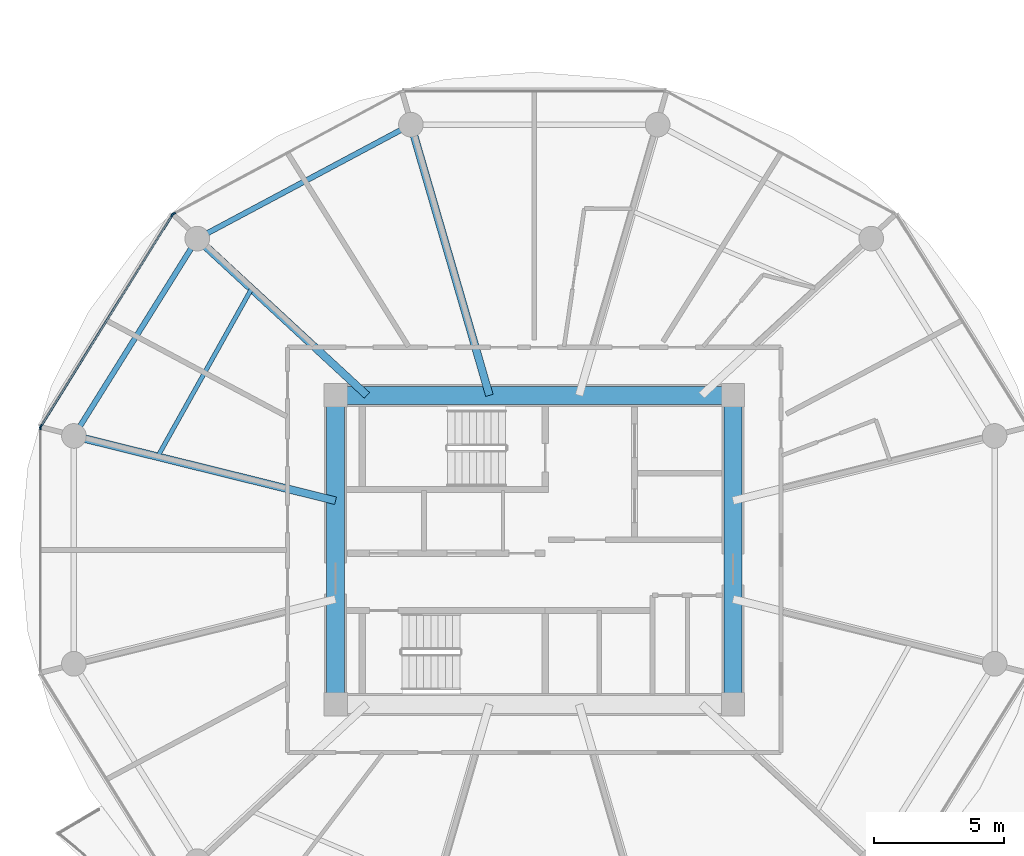
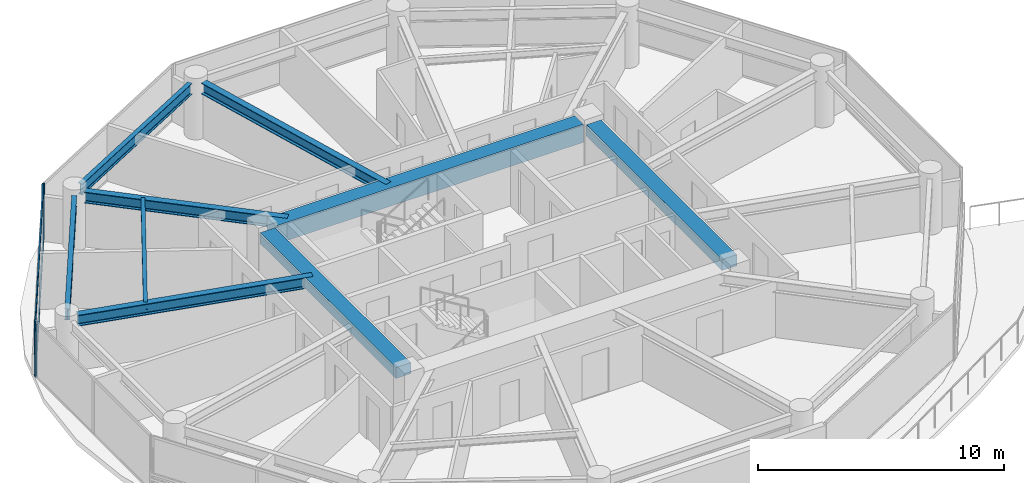
# One storey, part 4 of 26: 9 beams, 6 members, 3 elements without a shape of their own.
"""IFC4 building model written with IfcOpenShell, lengths in metres."""

from ifc_helpers import new_model, si_unit, direction, frame, origin, origin_2d, place, context, subcontext, project, spatial, rectangle, i_section, extrude, source, transform, mapped, material, layer, layer_set, material_profile, profile_set, type_object, type_shapes, element, aggregate, save


model = new_model("IFC4")

# Units and contexts
model_context = context("Model", 3, precision=1e-05, world=origin(), true_north=direction((0.0, 1.0)))
body_context = subcontext(model_context, "Body", "Model", "MODEL_VIEW")
ifc_project = project(units=[si_unit("LENGTHUNIT", "METRE"), si_unit("AREAUNIT", "SQUARE_METRE"), si_unit("VOLUMEUNIT", "CUBIC_METRE"), si_unit("PLANEANGLEUNIT", "RADIAN"), si_unit("MASSUNIT", "GRAM", prefix="KILO")], contexts=[model_context])

# Site, building, storey
site_placement = place(None, origin())
site = spatial("IfcSite", under=ifc_project, at=site_placement, CompositionType="ELEMENT")
building_placement = place(site_placement, origin())
building = spatial("IfcBuilding", under=site, at=building_placement, Name="Norrkilde Senior Care Towers", CompositionType="ELEMENT")
storey_placement = place(building_placement, frame((0.0, 0.0, 49.050048828125)))
storey = spatial("IfcBuildingStorey", under=building, at=storey_placement, Name="L14", CompositionType="ELEMENT", Elevation=49.050048828125)

# Beams
ifc_material_1 = material(Name="Concrete C60/75", Category="concrete")
ifc_material_profile_1 = material_profile(ifc_material_1, rectangle(XDim=0.699951171875, YDim=0.89990234375, at=origin_2d()), Name="RC BM 700x900")
ifc_profile_set_1 = profile_set([ifc_material_profile_1], Name="Concrete C60/75")
beam_type_1 = type_object("IfcBeamType", Name="Core Coupling Girder 700x900", PredefinedType="USERDEFINED", material=ifc_profile_set_1)
shared_shape_1 = source(origin(), body_context, "Body", "SweptSolid", [
    extrude(rectangle(XDim=0.699951171875, YDim=0.89990234375, at=origin_2d()), origin(), (0.0, 0.0, 1.0), 14.43994140625),
])
type_shapes(beam_type_1, [shared_shape_1])
beam_1_placement = place(storey_placement, frame((-35.219970703125, 5.949951171875, 2.33984375), z_axis=(1.0, 0.0, 0.0), x_axis=(0.0, 1.0, 0.0)))
element("IfcBeam", 1, at=beam_1_placement, inside=storey, type_object=beam_type_1, Name="L14 Core W N Coupling Girder", ObjectType="GIRDER", PredefinedType="USERDEFINED", context=body_context, shape_type="MappedRepresentation", body=[
    mapped(shared_shape_1, transform((0.0, 0.0, 0.0), x_axis=(1.0, 0.0, 0.0), y_axis=(0.0, 1.0, 0.0), z_axis=(0.0, 0.0, 1.0), scale=1.0)),
])
ifc_material_profile_2 = material_profile(ifc_material_1, rectangle(XDim=0.699951171875, YDim=0.550048828125, at=origin_2d()), Name="RC BM 700x550")
ifc_profile_set_2 = profile_set([ifc_material_profile_2], Name="Concrete C60/75")
beam_type_2 = type_object("IfcBeamType", Name="Core Portal Coupling Beam 700x550", PredefinedType="USERDEFINED", material=ifc_profile_set_2)
shared_shape_2 = source(origin(), body_context, "Body", "SweptSolid", [
    extrude(rectangle(XDim=0.699951171875, YDim=0.550048828125, at=origin_2d()), origin(), (0.0, 0.0, 1.0), 11.0400390625),
])
type_shapes(beam_type_2, [shared_shape_2])
for number, where, z_axis, x_axis, name in (
    (2, (-35.64990234375, -5.52001953125, 2.514892578125), (0.0, 1.0, 0.0), (-1.0, 0.0, 0.0), "L14 Core W W Coupling Girder"),
    (3, (-20.35009765625, -5.52001953125, 2.514892578125), (0.0, 1.0, 0.0), (-1.0, 0.0, 0.0), "L14 Core W E Coupling Girder"),
):
    element("IfcBeam", number, at=place(storey_placement, frame(where, z_axis=z_axis, x_axis=x_axis)), inside=storey, type_object=beam_type_2, Name=name, ObjectType="GIRDER", PredefinedType="USERDEFINED", context=body_context, shape_type="MappedRepresentation", body=[
        mapped(shared_shape_2, transform((0.0, 0.0, 0.0), x_axis=(1.0, 0.0, 0.0), y_axis=(0.0, 1.0, 0.0), z_axis=(0.0, 0.0, 1.0), scale=1.0)),
    ])
ifc_material_2 = material(Name="Steel S355", Category="steel")
ifc_material_profile_3 = material_profile(ifc_material_2, i_section(OverallWidth=0.2099609375, OverallDepth=0.550048828125, WebThickness=0.010986328125, FlangeThickness=0.01708984375, FilletRadius=0.02392578125, at=origin_2d()), Name="IPE 550")
ifc_profile_set_3 = profile_set([ifc_material_profile_3], Name="Steel S355")
beam_type_3 = type_object("IfcBeamType", Name="Perimeter Ring Spandrel Z1 IPE550", PredefinedType="SPANDREL", material=ifc_profile_set_3)
shared_shape_3 = source(origin(), body_context, "Body", "SweptSolid", [
    extrude(i_section(OverallWidth=0.2099609375, OverallDepth=0.550048828125, WebThickness=0.010986328125, FlangeThickness=0.01708984375, FilletRadius=0.02392578125, at=origin_2d()), origin(), (0.0, 0.0, 1.0), 8.090576171875),
])
beam_2_placement = place(storey_placement, frame((-41.2060546875, 11.61669921875, 2.514892578125), z_axis=(-0.530004364821, -0.84799491347, 0.0), x_axis=(0.84799491347, -0.530004364821, 0.0)))
element("IfcBeam", 4, at=beam_2_placement, inside=storey, type_object=beam_type_3, Name="L14 Drum W Perimeter Spandrel 05", PredefinedType="SPANDREL", context=body_context, shape_type="MappedRepresentation", body=[
    mapped(shared_shape_3, transform((0.0, 0.0, 0.0), x_axis=(1.0, 0.0, 0.0), y_axis=(0.0, 1.0, 0.0), z_axis=(0.0, 0.0, 1.0), scale=1.0)),
])
ifc_material_profile_4 = material_profile(ifc_material_2, i_section(OverallWidth=0.300048828125, OverallDepth=0.550048828125, WebThickness=0.014892578125, FlangeThickness=0.029052734375, FilletRadius=0.027099609375, at=origin_2d()), Name="HEB 550")
ifc_profile_set_4 = profile_set([ifc_material_profile_4], Name="Steel S355")
beam_type_4 = type_object("IfcBeamType", Name="Radial Floor Beam Z1 HEB550", PredefinedType="BEAM", material=ifc_profile_set_4)
shared_shape_4 = source(origin(), body_context, "Body", "SweptSolid", [
    extrude(i_section(OverallWidth=0.300048828125, OverallDepth=0.550048828125, WebThickness=0.014892578125, FlangeThickness=0.029052734375, FilletRadius=0.027099609375, at=origin_2d()), origin(), (0.0, 0.0, 1.0), 9.94384765625),
])
beam_3_placement = place(storey_placement, frame((-35.64990234375, 1.893310546875, 2.514892578125), z_axis=(-0.970707425182, 0.240264634718, 0.0), x_axis=(-0.240264634718, -0.970707425182, 0.0)))
element("IfcBeam", 5, at=beam_3_placement, inside=storey, type_object=beam_type_4, Name="L14 Drum W Radial Floor Beam 06", PredefinedType="BEAM", context=body_context, shape_type="MappedRepresentation", body=[
    mapped(shared_shape_4, transform((0.0, 0.0, 0.0), x_axis=(1.0, 0.0, 0.0), y_axis=(0.0, 1.0, 0.0), z_axis=(0.0, 0.0, 1.0), scale=1.0)),
])
shared_shape_5 = source(origin(), body_context, "Body", "SweptSolid", [
    extrude(i_section(OverallWidth=0.2099609375, OverallDepth=0.550048828125, WebThickness=0.010986328125, FlangeThickness=0.01708984375, FilletRadius=0.02392578125, at=origin_2d()), origin(), (0.0, 0.0, 1.0), 8.452880859375),
])
type_shapes(beam_type_3, [shared_shape_3, shared_shape_5])
beam_4_placement = place(storey_placement, frame((-33.133056640625, 16.167724609375, 2.514892578125), z_axis=(-0.882368931134, -0.470558252898, 0.0), x_axis=(0.470558252898, -0.882368931134, 0.0)))
element("IfcBeam", 6, at=beam_4_placement, inside=storey, type_object=beam_type_3, Name="L14 Drum W Perimeter Spandrel 04", PredefinedType="SPANDREL", context=body_context, shape_type="MappedRepresentation", body=[
    mapped(shared_shape_5, transform((0.0, 0.0, 0.0), x_axis=(1.0, 0.0, 0.0), y_axis=(0.0, 1.0, 0.0), z_axis=(0.0, 0.0, 1.0), scale=1.0)),
])
shared_shape_6 = source(origin(), body_context, "Body", "SweptSolid", [
    extrude(i_section(OverallWidth=0.300048828125, OverallDepth=0.550048828125, WebThickness=0.014892578125, FlangeThickness=0.029052734375, FilletRadius=0.027099609375, at=origin_2d()), origin(), (0.0, 0.0, 1.0), 8.459716796875),
])
beam_5_placement = place(storey_placement, frame((-34.44140625, 5.949951171875, 2.514892578125), z_axis=(-0.734573269108, 0.678529374686, 0.0), x_axis=(-0.678529374686, -0.734573269108, 0.0)))
element("IfcBeam", 7, at=beam_5_placement, inside=storey, type_object=beam_type_4, Name="L14 Drum W Radial Floor Beam 05", PredefinedType="BEAM", context=body_context, shape_type="MappedRepresentation", body=[
    mapped(shared_shape_6, transform((0.0, 0.0, 0.0), x_axis=(1.0, 0.0, 0.0), y_axis=(0.0, 1.0, 0.0), z_axis=(0.0, 0.0, 1.0), scale=1.0)),
])
shared_shape_7 = source(origin(), body_context, "Body", "SweptSolid", [
    extrude(i_section(OverallWidth=0.300048828125, OverallDepth=0.550048828125, WebThickness=0.014892578125, FlangeThickness=0.029052734375, FilletRadius=0.027099609375, at=origin_2d()), origin(), (0.0, 0.0, 1.0), 10.4169921875),
])
type_shapes(beam_type_4, [shared_shape_4, shared_shape_6, shared_shape_7])
beam_6_placement = place(storey_placement, frame((-29.72607421875, 5.949951171875, 2.514892578125), z_axis=(-0.278591250785, 0.960409764104, 0.0), x_axis=(-0.960409764104, -0.278591250785, 0.0)))
element("IfcBeam", 8, at=beam_6_placement, inside=storey, type_object=beam_type_4, Name="L14 Drum W Radial Floor Beam 04", PredefinedType="BEAM", context=body_context, shape_type="MappedRepresentation", body=[
    mapped(shared_shape_7, transform((0.0, 0.0, 0.0), x_axis=(1.0, 0.0, 0.0), y_axis=(0.0, 1.0, 0.0), z_axis=(0.0, 0.0, 1.0), scale=1.0)),
])
ifc_material_profile_5 = material_profile(ifc_material_2, i_section(OverallWidth=0.169921875, OverallDepth=0.360107421875, WebThickness=0.008056640625, FlangeThickness=0.0126953125, FilletRadius=0.01806640625, at=origin_2d()), Name="IPE 360")
ifc_profile_set_5 = profile_set([ifc_material_profile_5], Name="Steel S355")
beam_type_5 = type_object("IfcBeamType", Name="Secondary Floor Joist IPE360", PredefinedType="JOIST", material=ifc_profile_set_5)
shared_shape_8 = source(origin(), body_context, "Body", "SweptSolid", [
    extrude(i_section(OverallWidth=0.169921875, OverallDepth=0.360107421875, WebThickness=0.008056640625, FlangeThickness=0.0126953125, FilletRadius=0.01806640625, at=origin_2d()), origin(), (0.0, 0.0, 1.0), 7.40771484375),
])
type_shapes(beam_type_5, [shared_shape_8])
beam_7_placement = place(storey_placement, frame((-38.884521484375, 10.05419921875, 2.60986328125), z_axis=(-0.488167754092, -0.872749817453, 0.0), x_axis=(0.872749817453, -0.488167754092, 0.0)))
element("IfcBeam", 9, at=beam_7_placement, inside=storey, type_object=beam_type_5, Name="L14 Drum W Secondary Floor Joist 2", PredefinedType="JOIST", context=body_context, shape_type="MappedRepresentation", body=[
    mapped(shared_shape_8, transform((0.0, 0.0, 0.0), x_axis=(1.0, 0.0, 0.0), y_axis=(0.0, 1.0, 0.0), z_axis=(0.0, 0.0, 1.0), scale=1.0)),
])

# Curtain wall, member
ifc_material_3 = material(Name="Triple Low-E Insulated Glazing", Category="glass")
ifc_layer = layer(ifc_material_3, 0.199951171875)
ifc_layer_set = layer_set([ifc_layer], Name="Triple Low-E Insulated Glazing")
curtain_wall_type = type_object("IfcCurtainWallType", Name="CW2 Zone 1 Memory Care Curtain Wall", PredefinedType="NOTDEFINED", material=ifc_layer_set)
curtain_wall_1_placement = place(storey_placement, origin())
curtain_wall_1 = element("IfcCurtainWall", 10, at=curtain_wall_1_placement, inside=storey, type_object=curtain_wall_type, Name="L14 Drum W Curtain Wall 03", PredefinedType="NOTDEFINED")
ifc_material_4 = material(Name="Anodised Aluminium", Category="aluminium")
ifc_material_profile_6 = material_profile(ifc_material_4, rectangle(XDim=0.06494140625, YDim=0.159912109375, at=origin_2d()), Name="ALU MULL 65x160")
ifc_profile_set_6 = profile_set([ifc_material_profile_6], Name="Anodised Aluminium")
member_type_1 = type_object("IfcMemberType", Name="Curtain Wall Mullion Z1-Z2 65x160", PredefinedType="MULLION", material=ifc_profile_set_6)
shared_shape_9 = source(origin(), body_context, "Body", "SweptSolid", [
    extrude(rectangle(XDim=0.06494140625, YDim=0.159912109375, at=origin_2d()), origin(), (0.0, 0.0, 1.0), 2.7900390625),
])
type_shapes(member_type_1, [shared_shape_9])
member_1_placement = place(storey_placement, frame((-41.88720703125, 12.941162109375, 0.0), z_axis=(0.0, 0.0, 1.0), x_axis=(-0.472607802456, 0.881272866403, 0.0)))
member_1 = element("IfcMember", 11, at=member_1_placement, type_object=member_type_1, Name="CW-2 mullion 1", PredefinedType="MULLION", context=body_context, shape_type="MappedRepresentation", body=[
    mapped(shared_shape_9, transform((0.0, 0.0, 0.0), x_axis=(1.0, 0.0, 0.0), y_axis=(0.0, 1.0, 0.0), z_axis=(0.0, 0.0, 1.0), scale=1.0)),
])
aggregate(curtain_wall_1, [member_1])

# Curtain wall, members
curtain_wall_2_placement = place(storey_placement, origin())
curtain_wall_2 = element("IfcCurtainWall", 12, at=curtain_wall_2_placement, inside=storey, type_object=curtain_wall_type, Name="L14 Drum W Curtain Wall 04", PredefinedType="NOTDEFINED")
member_2_placement = place(storey_placement, frame((-46.9921875, 4.7587890625, 0.0), z_axis=(0.0, 0.0, 1.0), x_axis=(-0.849305943117, 0.527900951871, 0.0)))
member_2 = element("IfcMember", 13, at=member_2_placement, type_object=member_type_1, Name="CW-2 mullion 1", PredefinedType="MULLION", context=body_context, shape_type="MappedRepresentation", body=[
    mapped(shared_shape_9, transform((0.0, 0.0, 0.0), x_axis=(1.0, 0.0, 0.0), y_axis=(0.0, 1.0, 0.0), z_axis=(0.0, 0.0, 1.0), scale=1.0)),
])
member_3_placement = place(storey_placement, frame((-41.93310546875, 12.898193359375, 0.0), z_axis=(0.0, 0.0, 1.0), x_axis=(-0.849305943117, 0.527900951871, 0.0)))
member_3 = element("IfcMember", 14, at=member_3_placement, type_object=member_type_1, Name="CW-2 mullion 2", PredefinedType="MULLION", context=body_context, shape_type="MappedRepresentation", body=[
    mapped(shared_shape_9, transform((0.0, 0.0, 0.0), x_axis=(1.0, 0.0, 0.0), y_axis=(0.0, 1.0, 0.0), z_axis=(0.0, 0.0, 1.0), scale=1.0)),
])

# Curtain wall, member
curtain_wall_3_placement = place(storey_placement, origin())
curtain_wall_3 = element("IfcCurtainWall", 15, at=curtain_wall_3_placement, inside=storey, type_object=curtain_wall_type, Name="L14 Drum W Curtain Wall 05", PredefinedType="NOTDEFINED")
member_4_placement = place(storey_placement, frame((-47.009521484375, 4.69873046875, 0.0), z_axis=(0.0, 0.0, 1.0), x_axis=(-1.0, 0.0, 0.0)))
member_4 = element("IfcMember", 16, at=member_4_placement, type_object=member_type_1, Name="CW-2 mullion 2", PredefinedType="MULLION", context=body_context, shape_type="MappedRepresentation", body=[
    mapped(shared_shape_9, transform((0.0, 0.0, 0.0), x_axis=(1.0, 0.0, 0.0), y_axis=(0.0, 1.0, 0.0), z_axis=(0.0, 0.0, 1.0), scale=1.0)),
])
aggregate(curtain_wall_3, [member_4])

# Member
ifc_material_profile_7 = material_profile(ifc_material_4, rectangle(XDim=0.06005859375, YDim=0.1201171875, at=origin_2d()), Name="ALU TRAN 60x120")
ifc_profile_set_7 = profile_set([ifc_material_profile_7], Name="Anodised Aluminium")
member_type_2 = type_object("IfcMemberType", Name="Curtain Wall Transom Typical 60x120", PredefinedType="USERDEFINED", material=ifc_profile_set_7)
shared_shape_10 = source(origin(), body_context, "Body", "SweptSolid", [
    extrude(rectangle(XDim=0.06005859375, YDim=0.1201171875, at=origin_2d()), origin(), (0.0, 0.0, 1.0), 9.5185546875),
])
type_shapes(member_type_2, [shared_shape_10])
member_5_placement = place(storey_placement, frame((-46.97509765625, 4.786376953125, 0.030029296875), z_axis=(0.527901620669, 0.849305527413, 0.0), x_axis=(-0.849305527413, 0.527901620669, 0.0)))
member_5 = element("IfcMember", 17, at=member_5_placement, type_object=member_type_2, Name="CW-2 transom 1.1", ObjectType="TRANSOM", PredefinedType="USERDEFINED", context=body_context, shape_type="MappedRepresentation", body=[
    mapped(shared_shape_10, transform((0.0, 0.0, 0.0), x_axis=(1.0, 0.0, 0.0), y_axis=(0.0, 1.0, 0.0), z_axis=(0.0, 0.0, 1.0), scale=1.0)),
])

member_6_placement = place(storey_placement, frame((-46.97509765625, 4.786376953125, 2.760009765625), z_axis=(0.527901620669, 0.849305527413, 0.0), x_axis=(-0.849305527413, 0.527901620669, 0.0)))
member_6 = element("IfcMember", 18, at=member_6_placement, type_object=member_type_2, Name="CW-2 transom 1.2", ObjectType="TRANSOM", PredefinedType="USERDEFINED", context=body_context, shape_type="MappedRepresentation", body=[
    mapped(shared_shape_10, transform((0.0, 0.0, 0.0), x_axis=(1.0, 0.0, 0.0), y_axis=(0.0, 1.0, 0.0), z_axis=(0.0, 0.0, 1.0), scale=1.0)),
])

aggregate(curtain_wall_2, [member_2, member_3, member_5, member_6])

save(model, "model.ifc")
